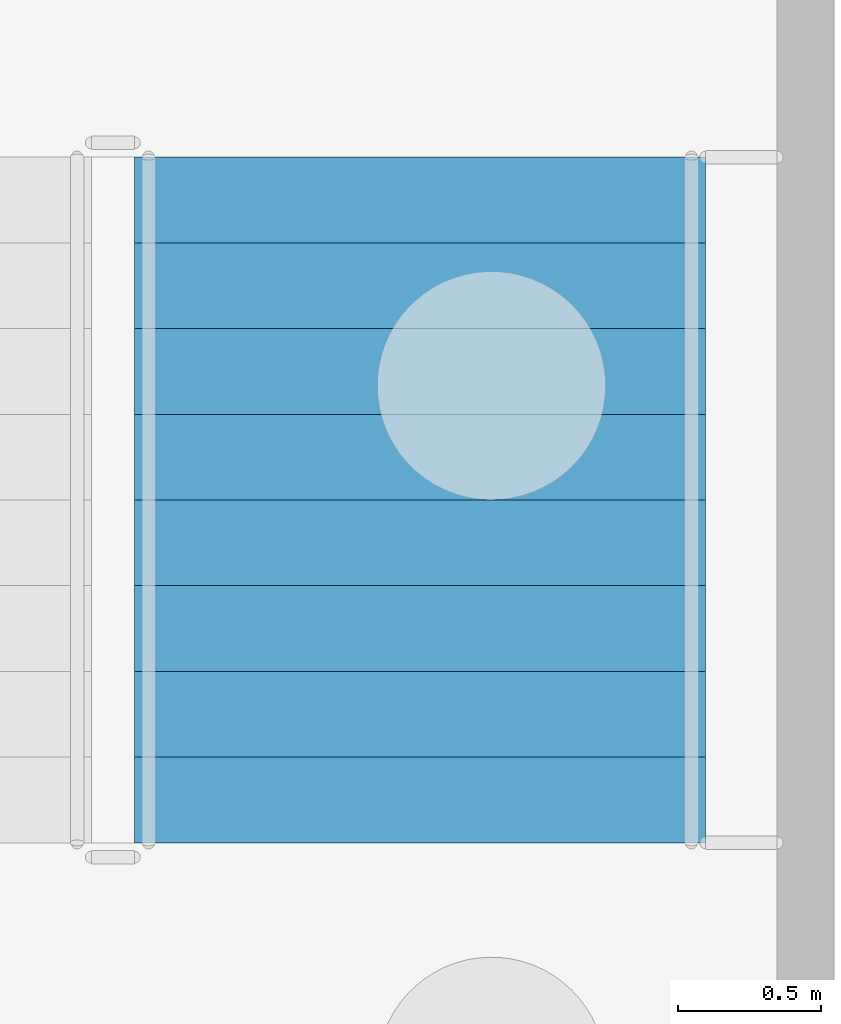
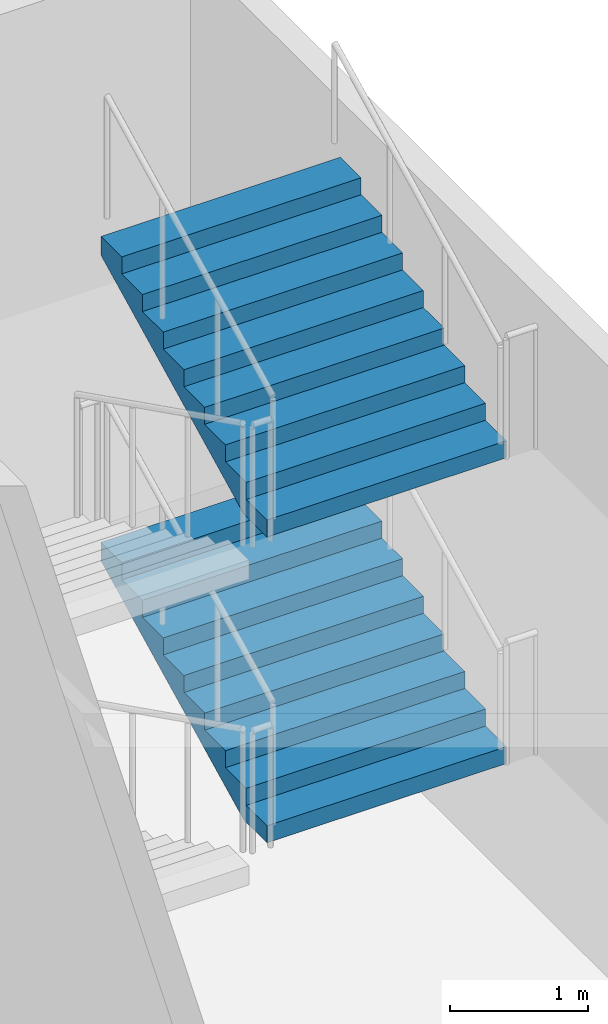
# One storey, part 101 of 129: 2 stair flights, 1 element without a shape of its own.
"""IFC4 building model written with IfcOpenShell, lengths in metres."""

from ifc_helpers import new_model, si_unit, direction, frame, origin, place, context, subcontext, project, spatial, faceted_brep, material, type_object, element, aggregate, save


model = new_model("IFC4")

# Units and contexts
model_context = context("Model", 3, precision=1e-05, world=origin(), true_north=direction((0.0, 1.0)))
body_context = subcontext(model_context, "Body", "Model", "MODEL_VIEW")
ifc_project = project(units=[si_unit("LENGTHUNIT", "METRE"), si_unit("AREAUNIT", "SQUARE_METRE"), si_unit("VOLUMEUNIT", "CUBIC_METRE"), si_unit("PLANEANGLEUNIT", "RADIAN"), si_unit("MASSUNIT", "GRAM", prefix="KILO")], contexts=[model_context])

# Site, building, storey
site_placement = place(None, origin())
site = spatial("IfcSite", under=ifc_project, at=site_placement, CompositionType="ELEMENT")
building_placement = place(site_placement, origin())
building = spatial("IfcBuilding", under=site, at=building_placement, Name="Kiln Court Media Centre", CompositionType="ELEMENT")
storey_placement = place(building_placement, origin())
storey = spatial("IfcBuildingStorey", under=building, at=storey_placement, Name="L00", CompositionType="ELEMENT", Elevation=0.0)

# Stair, stair flights
ifc_material_1 = material(Name="Concrete C40/50", Category="concrete")
stair_type = type_object("IfcStairType", Name="Concrete C40/50 dog-leg stair 2000 wide, 150 riser", PredefinedType="HALF_TURN_STAIR", material=ifc_material_1)
stair_placement = place(storey_placement, origin())
stair = element("IfcStair", 1, at=stair_placement, inside=storey, type_object=stair_type, Name="ST-15 L00", PredefinedType="HALF_TURN_STAIR")
ifc_material_2 = material(Name="Concrete C40/50", Category="concrete")
stair_flight_type = type_object("IfcStairFlightType", Name="Concrete C40/50 stair flight 2000 wide, 150 riser, 300 going", PredefinedType="STRAIGHT", material=ifc_material_2)
stair_flight_1_placement = place(storey_placement, frame((166.550048828125, 62.0, 1.35009765625), z_axis=(0.0, 0.0, 1.0), x_axis=(0.0, 1.0, 0.0)))
stair_flight_1 = element("IfcStairFlight", 2, at=stair_flight_1_placement, type_object=stair_flight_type, Name="L00-ST-5014 flight 5057", NumberOfRisers=9, NumberOfTreads=8, PredefinedType="STRAIGHT", RiserHeight=0.15, TreadLength=0.3, context=body_context, shape_type="Brep", body=[
    faceted_brep([(0.335205078125, -1.0, 0.0), (2.39990234375, -1.0, 1.032470703125), (2.39990234375, -1.0, 1.199951171875), (2.10009765625, -1.0, 1.199951171875), (2.10009765625, -1.0, 1.050048828125), (1.800048828125, -1.0, 1.050048828125), (1.800048828125, -1.0, 0.89990234375), (1.5, -1.0, 0.89990234375), (1.5, -1.0, 0.75), (1.199951171875, -1.0, 0.75), (1.199951171875, -1.0, 0.60009765625), (0.89990234375, -1.0, 0.60009765625), (0.89990234375, -1.0, 0.449951171875), (0.60009765625, -1.0, 0.449951171875), (0.60009765625, -1.0, 0.300048828125), (0.300048828125, -1.0, 0.300048828125), (0.300048828125, -1.0, 0.14990234375), (0.0, -1.0, 0.14990234375), (0.0, -1.0, 0.0), (0.0, 1.0, 0.0), (0.0, 1.0, 0.14990234375), (0.300048828125, 1.0, 0.14990234375), (0.300048828125, 1.0, 0.300048828125), (0.60009765625, 1.0, 0.300048828125), (0.60009765625, 1.0, 0.449951171875), (0.89990234375, 1.0, 0.449951171875), (0.89990234375, 1.0, 0.60009765625), (1.199951171875, 1.0, 0.60009765625), (1.199951171875, 1.0, 0.75), (1.5, 1.0, 0.75), (1.5, 1.0, 0.89990234375), (1.800048828125, 1.0, 0.89990234375), (1.800048828125, 1.0, 1.050048828125), (2.10009765625, 1.0, 1.050048828125), (2.10009765625, 1.0, 1.199951171875), (2.39990234375, 1.0, 1.199951171875), (2.39990234375, 1.0, 1.032470703125), (0.335205078125, 1.0, 0.0), (2.39990234375, 0.10009765625, 1.032470703125), (0.335205078125, 0.10009765625, 0.0), (2.39990234375, 0.080078125, 1.032470703125), (0.335205078125, 0.080078125, 0.0), (2.39990234375, 0.06005859375, 1.032470703125), (0.335205078125, 0.06005859375, 0.0), (2.39990234375, 0.0400390625, 1.032470703125), (0.335205078125, 0.0400390625, 0.0), (2.39990234375, 0.02001953125, 1.032470703125), (0.335205078125, 0.02001953125, 0.0), (2.39990234375, 0.0, 1.032470703125), (0.335205078125, 0.0, 0.0), (2.39990234375, -0.02001953125, 1.032470703125), (0.335205078125, -0.02001953125, 0.0), (2.39990234375, -0.0400390625, 1.032470703125), (0.335205078125, -0.0400390625, 0.0), (2.39990234375, -0.06005859375, 1.032470703125), (0.335205078125, -0.06005859375, 0.0), (2.39990234375, -0.080078125, 1.032470703125), (0.335205078125, -0.080078125, 0.0), (2.39990234375, -0.10009765625, 1.032470703125), (0.335205078125, -0.10009765625, 0.0), (2.39990234375, 0.10009765625, 1.199951171875), (2.39990234375, 0.080078125, 1.199951171875), (2.39990234375, 0.06005859375, 1.199951171875), (2.39990234375, 0.0400390625, 1.199951171875), (2.39990234375, 0.02001953125, 1.199951171875), (2.39990234375, 0.0, 1.199951171875), (2.39990234375, -0.02001953125, 1.199951171875), (2.39990234375, -0.0400390625, 1.199951171875), (2.39990234375, -0.06005859375, 1.199951171875), (2.39990234375, -0.080078125, 1.199951171875), (2.39990234375, -0.10009765625, 1.199951171875), (2.10009765625, 0.10009765625, 1.199951171875), (2.10009765625, 0.080078125, 1.199951171875), (2.10009765625, 0.06005859375, 1.199951171875), (2.10009765625, 0.0400390625, 1.199951171875), (2.10009765625, 0.02001953125, 1.199951171875), (2.10009765625, 0.0, 1.199951171875), (2.10009765625, -0.02001953125, 1.199951171875), (2.10009765625, -0.0400390625, 1.199951171875), (2.10009765625, -0.06005859375, 1.199951171875), (2.10009765625, -0.080078125, 1.199951171875), (2.10009765625, -0.10009765625, 1.199951171875), (2.10009765625, 0.10009765625, 1.050048828125), (2.10009765625, 0.080078125, 1.050048828125), (2.10009765625, 0.06005859375, 1.050048828125), (2.10009765625, 0.0400390625, 1.050048828125), (2.10009765625, 0.02001953125, 1.050048828125), (2.10009765625, 0.0, 1.050048828125), (2.10009765625, -0.02001953125, 1.050048828125), (2.10009765625, -0.0400390625, 1.050048828125), (2.10009765625, -0.06005859375, 1.050048828125), (2.10009765625, -0.080078125, 1.050048828125), (2.10009765625, -0.10009765625, 1.050048828125), (1.800048828125, 0.10009765625, 1.050048828125), (1.800048828125, 0.080078125, 1.050048828125), (1.800048828125, 0.06005859375, 1.050048828125), (1.800048828125, 0.0400390625, 1.050048828125), (1.800048828125, 0.02001953125, 1.050048828125), (1.800048828125, 0.0, 1.050048828125), (1.800048828125, -0.02001953125, 1.050048828125), (1.800048828125, -0.0400390625, 1.050048828125), (1.800048828125, -0.06005859375, 1.050048828125), (1.800048828125, -0.080078125, 1.050048828125), (1.800048828125, -0.10009765625, 1.050048828125), (1.800048828125, 0.10009765625, 0.89990234375), (1.800048828125, 0.080078125, 0.89990234375), (1.800048828125, 0.06005859375, 0.89990234375), (1.800048828125, 0.0400390625, 0.89990234375), (1.800048828125, 0.02001953125, 0.89990234375), (1.800048828125, 0.0, 0.89990234375), (1.800048828125, -0.02001953125, 0.89990234375), (1.800048828125, -0.0400390625, 0.89990234375), (1.800048828125, -0.06005859375, 0.89990234375), (1.800048828125, -0.080078125, 0.89990234375), (1.800048828125, -0.10009765625, 0.89990234375), (1.5, 0.10009765625, 0.89990234375), (1.5, 0.080078125, 0.89990234375), (1.5, 0.06005859375, 0.89990234375), (1.5, 0.0400390625, 0.89990234375), (1.5, 0.02001953125, 0.89990234375), (1.5, 0.0, 0.89990234375), (1.5, -0.02001953125, 0.89990234375), (1.5, -0.0400390625, 0.89990234375), (1.5, -0.06005859375, 0.89990234375), (1.5, -0.080078125, 0.89990234375), (1.5, -0.10009765625, 0.89990234375), (1.5, 0.10009765625, 0.75), (1.5, 0.080078125, 0.75), (1.5, 0.06005859375, 0.75), (1.5, 0.0400390625, 0.75), (1.5, 0.02001953125, 0.75), (1.5, 0.0, 0.75), (1.5, -0.02001953125, 0.75), (1.5, -0.0400390625, 0.75), (1.5, -0.06005859375, 0.75), (1.5, -0.080078125, 0.75), (1.5, -0.10009765625, 0.75), (1.199951171875, 0.10009765625, 0.75), (1.199951171875, 0.080078125, 0.75), (1.199951171875, 0.06005859375, 0.75), (1.199951171875, 0.0400390625, 0.75), (1.199951171875, 0.02001953125, 0.75), (1.199951171875, 0.0, 0.75), (1.199951171875, -0.02001953125, 0.75), (1.199951171875, -0.0400390625, 0.75), (1.199951171875, -0.06005859375, 0.75), (1.199951171875, -0.080078125, 0.75), (1.199951171875, -0.10009765625, 0.75), (1.199951171875, 0.10009765625, 0.60009765625), (1.199951171875, 0.080078125, 0.60009765625), (1.199951171875, 0.06005859375, 0.60009765625), (1.199951171875, 0.0400390625, 0.60009765625), (1.199951171875, 0.02001953125, 0.60009765625), (1.199951171875, 0.0, 0.60009765625), (1.199951171875, -0.02001953125, 0.60009765625), (1.199951171875, -0.0400390625, 0.60009765625), (1.199951171875, -0.06005859375, 0.60009765625), (1.199951171875, -0.080078125, 0.60009765625), (1.199951171875, -0.10009765625, 0.60009765625), (0.89990234375, 0.10009765625, 0.60009765625), (0.89990234375, 0.080078125, 0.60009765625), (0.89990234375, 0.06005859375, 0.60009765625), (0.89990234375, 0.0400390625, 0.60009765625), (0.89990234375, 0.02001953125, 0.60009765625), (0.89990234375, 0.0, 0.60009765625), (0.89990234375, -0.02001953125, 0.60009765625), (0.89990234375, -0.0400390625, 0.60009765625), (0.89990234375, -0.06005859375, 0.60009765625), (0.89990234375, -0.080078125, 0.60009765625), (0.89990234375, -0.10009765625, 0.60009765625), (0.89990234375, 0.10009765625, 0.449951171875), (0.89990234375, 0.080078125, 0.449951171875), (0.89990234375, 0.06005859375, 0.449951171875), (0.89990234375, 0.0400390625, 0.449951171875), (0.89990234375, 0.02001953125, 0.449951171875), (0.89990234375, 0.0, 0.449951171875), (0.89990234375, -0.02001953125, 0.449951171875), (0.89990234375, -0.0400390625, 0.449951171875), (0.89990234375, -0.06005859375, 0.449951171875), (0.89990234375, -0.080078125, 0.449951171875), (0.89990234375, -0.10009765625, 0.449951171875), (0.60009765625, 0.10009765625, 0.449951171875), (0.60009765625, 0.080078125, 0.449951171875), (0.60009765625, 0.06005859375, 0.449951171875), (0.60009765625, 0.0400390625, 0.449951171875), (0.60009765625, 0.02001953125, 0.449951171875), (0.60009765625, 0.0, 0.449951171875), (0.60009765625, -0.02001953125, 0.449951171875), (0.60009765625, -0.0400390625, 0.449951171875), (0.60009765625, -0.06005859375, 0.449951171875), (0.60009765625, -0.080078125, 0.449951171875), (0.60009765625, -0.10009765625, 0.449951171875), (0.60009765625, 0.10009765625, 0.300048828125), (0.60009765625, 0.080078125, 0.300048828125), (0.60009765625, 0.06005859375, 0.300048828125), (0.60009765625, 0.0400390625, 0.300048828125), (0.60009765625, 0.02001953125, 0.300048828125), (0.60009765625, 0.0, 0.300048828125), (0.60009765625, -0.02001953125, 0.300048828125), (0.60009765625, -0.0400390625, 0.300048828125), (0.60009765625, -0.06005859375, 0.300048828125), (0.60009765625, -0.080078125, 0.300048828125), (0.60009765625, -0.10009765625, 0.300048828125), (0.300048828125, 0.10009765625, 0.300048828125), (0.300048828125, 0.080078125, 0.300048828125), (0.300048828125, 0.06005859375, 0.300048828125), (0.300048828125, 0.0400390625, 0.300048828125), (0.300048828125, 0.02001953125, 0.300048828125), (0.300048828125, 0.0, 0.300048828125), (0.300048828125, -0.02001953125, 0.300048828125), (0.300048828125, -0.0400390625, 0.300048828125), (0.300048828125, -0.06005859375, 0.300048828125), (0.300048828125, -0.080078125, 0.300048828125), (0.300048828125, -0.10009765625, 0.300048828125), (0.300048828125, 0.10009765625, 0.14990234375), (0.300048828125, 0.080078125, 0.14990234375), (0.300048828125, 0.06005859375, 0.14990234375), (0.300048828125, 0.0400390625, 0.14990234375), (0.300048828125, 0.02001953125, 0.14990234375), (0.300048828125, 0.0, 0.14990234375), (0.300048828125, -0.02001953125, 0.14990234375), (0.300048828125, -0.0400390625, 0.14990234375), (0.300048828125, -0.06005859375, 0.14990234375), (0.300048828125, -0.080078125, 0.14990234375), (0.300048828125, -0.10009765625, 0.14990234375), (0.0, 0.10009765625, 0.14990234375), (0.0, 0.080078125, 0.14990234375), (0.0, 0.06005859375, 0.14990234375), (0.0, 0.0400390625, 0.14990234375), (0.0, 0.02001953125, 0.14990234375), (0.0, 0.0, 0.14990234375), (0.0, -0.02001953125, 0.14990234375), (0.0, -0.0400390625, 0.14990234375), (0.0, -0.06005859375, 0.14990234375), (0.0, -0.080078125, 0.14990234375), (0.0, -0.10009765625, 0.14990234375), (0.0, 0.10009765625, 0.0), (0.0, 0.080078125, 0.0), (0.0, 0.06005859375, 0.0), (0.0, 0.0400390625, 0.0), (0.0, 0.02001953125, 0.0), (0.0, 0.0, 0.0), (0.0, -0.02001953125, 0.0), (0.0, -0.0400390625, 0.0), (0.0, -0.06005859375, 0.0), (0.0, -0.080078125, 0.0), (0.0, -0.10009765625, 0.0)], [[[0, 1, 2, 3, 4, 5, 6, 7, 8, 9, 10, 11, 12, 13, 14, 15, 16, 17, 18]], [[19, 20, 21, 22, 23, 24, 25, 26, 27, 28, 29, 30, 31, 32, 33, 34, 35, 36, 37]], [[37, 36, 38, 39]], [[39, 38, 40, 41]], [[41, 40, 42, 43]], [[43, 42, 44, 45]], [[45, 44, 46, 47]], [[47, 46, 48, 49]], [[49, 48, 50, 51]], [[51, 50, 52, 53]], [[53, 52, 54, 55]], [[55, 54, 56, 57]], [[57, 56, 58, 59]], [[59, 58, 1, 0]], [[36, 35, 60, 38]], [[38, 60, 61, 40]], [[40, 61, 62, 42]], [[42, 62, 63, 44]], [[44, 63, 64, 46]], [[46, 64, 65, 48]], [[48, 65, 66, 50]], [[50, 66, 67, 52]], [[52, 67, 68, 54]], [[54, 68, 69, 56]], [[56, 69, 70, 58]], [[58, 70, 2, 1]], [[35, 34, 71, 60]], [[60, 71, 72, 61]], [[61, 72, 73, 62]], [[62, 73, 74, 63]], [[63, 74, 75, 64]], [[64, 75, 76, 65]], [[65, 76, 77, 66]], [[66, 77, 78, 67]], [[67, 78, 79, 68]], [[68, 79, 80, 69]], [[69, 80, 81, 70]], [[70, 81, 3, 2]], [[34, 33, 82, 71]], [[71, 82, 83, 72]], [[72, 83, 84, 73]], [[73, 84, 85, 74]], [[74, 85, 86, 75]], [[75, 86, 87, 76]], [[76, 87, 88, 77]], [[77, 88, 89, 78]], [[78, 89, 90, 79]], [[79, 90, 91, 80]], [[80, 91, 92, 81]], [[81, 92, 4, 3]], [[33, 32, 93, 82]], [[82, 93, 94, 83]], [[83, 94, 95, 84]], [[84, 95, 96, 85]], [[85, 96, 97, 86]], [[86, 97, 98, 87]], [[87, 98, 99, 88]], [[88, 99, 100, 89]], [[89, 100, 101, 90]], [[90, 101, 102, 91]], [[91, 102, 103, 92]], [[92, 103, 5, 4]], [[32, 31, 104, 93]], [[93, 104, 105, 94]], [[94, 105, 106, 95]], [[95, 106, 107, 96]], [[96, 107, 108, 97]], [[97, 108, 109, 98]], [[98, 109, 110, 99]], [[99, 110, 111, 100]], [[100, 111, 112, 101]], [[101, 112, 113, 102]], [[102, 113, 114, 103]], [[103, 114, 6, 5]], [[31, 30, 115, 104]], [[104, 115, 116, 105]], [[105, 116, 117, 106]], [[106, 117, 118, 107]], [[107, 118, 119, 108]], [[108, 119, 120, 109]], [[109, 120, 121, 110]], [[110, 121, 122, 111]], [[111, 122, 123, 112]], [[112, 123, 124, 113]], [[113, 124, 125, 114]], [[114, 125, 7, 6]], [[30, 29, 126, 115]], [[115, 126, 127, 116]], [[116, 127, 128, 117]], [[117, 128, 129, 118]], [[118, 129, 130, 119]], [[119, 130, 131, 120]], [[120, 131, 132, 121]], [[121, 132, 133, 122]], [[122, 133, 134, 123]], [[123, 134, 135, 124]], [[124, 135, 136, 125]], [[125, 136, 8, 7]], [[29, 28, 137, 126]], [[126, 137, 138, 127]], [[127, 138, 139, 128]], [[128, 139, 140, 129]], [[129, 140, 141, 130]], [[130, 141, 142, 131]], [[131, 142, 143, 132]], [[132, 143, 144, 133]], [[133, 144, 145, 134]], [[134, 145, 146, 135]], [[135, 146, 147, 136]], [[136, 147, 9, 8]], [[28, 27, 148, 137]], [[137, 148, 149, 138]], [[138, 149, 150, 139]], [[139, 150, 151, 140]], [[140, 151, 152, 141]], [[141, 152, 153, 142]], [[142, 153, 154, 143]], [[143, 154, 155, 144]], [[144, 155, 156, 145]], [[145, 156, 157, 146]], [[146, 157, 158, 147]], [[147, 158, 10, 9]], [[27, 26, 159, 148]], [[148, 159, 160, 149]], [[149, 160, 161, 150]], [[150, 161, 162, 151]], [[151, 162, 163, 152]], [[152, 163, 164, 153]], [[153, 164, 165, 154]], [[154, 165, 166, 155]], [[155, 166, 167, 156]], [[156, 167, 168, 157]], [[157, 168, 169, 158]], [[158, 169, 11, 10]], [[26, 25, 170, 159]], [[159, 170, 171, 160]], [[160, 171, 172, 161]], [[161, 172, 173, 162]], [[162, 173, 174, 163]], [[163, 174, 175, 164]], [[164, 175, 176, 165]], [[165, 176, 177, 166]], [[166, 177, 178, 167]], [[167, 178, 179, 168]], [[168, 179, 180, 169]], [[169, 180, 12, 11]], [[25, 24, 181, 170]], [[170, 181, 182, 171]], [[171, 182, 183, 172]], [[172, 183, 184, 173]], [[173, 184, 185, 174]], [[174, 185, 186, 175]], [[175, 186, 187, 176]], [[176, 187, 188, 177]], [[177, 188, 189, 178]], [[178, 189, 190, 179]], [[179, 190, 191, 180]], [[180, 191, 13, 12]], [[24, 23, 192, 181]], [[181, 192, 193, 182]], [[182, 193, 194, 183]], [[183, 194, 195, 184]], [[184, 195, 196, 185]], [[185, 196, 197, 186]], [[186, 197, 198, 187]], [[187, 198, 199, 188]], [[188, 199, 200, 189]], [[189, 200, 201, 190]], [[190, 201, 202, 191]], [[191, 202, 14, 13]], [[23, 22, 203, 192]], [[192, 203, 204, 193]], [[193, 204, 205, 194]], [[194, 205, 206, 195]], [[195, 206, 207, 196]], [[196, 207, 208, 197]], [[197, 208, 209, 198]], [[198, 209, 210, 199]], [[199, 210, 211, 200]], [[200, 211, 212, 201]], [[201, 212, 213, 202]], [[202, 213, 15, 14]], [[22, 21, 214, 203]], [[203, 214, 215, 204]], [[204, 215, 216, 205]], [[205, 216, 217, 206]], [[206, 217, 218, 207]], [[207, 218, 219, 208]], [[208, 219, 220, 209]], [[209, 220, 221, 210]], [[210, 221, 222, 211]], [[211, 222, 223, 212]], [[212, 223, 224, 213]], [[213, 224, 16, 15]], [[21, 20, 225, 214]], [[214, 225, 226, 215]], [[215, 226, 227, 216]], [[216, 227, 228, 217]], [[217, 228, 229, 218]], [[218, 229, 230, 219]], [[219, 230, 231, 220]], [[220, 231, 232, 221]], [[221, 232, 233, 222]], [[222, 233, 234, 223]], [[223, 234, 235, 224]], [[224, 235, 17, 16]], [[20, 19, 236, 225]], [[225, 236, 237, 226]], [[226, 237, 238, 227]], [[227, 238, 239, 228]], [[228, 239, 240, 229]], [[229, 240, 241, 230]], [[230, 241, 242, 231]], [[231, 242, 243, 232]], [[232, 243, 244, 233]], [[233, 244, 245, 234]], [[234, 245, 246, 235]], [[235, 246, 18, 17]], [[19, 37, 39, 236]], [[236, 39, 41, 237]], [[237, 41, 43, 238]], [[238, 43, 45, 239]], [[239, 45, 47, 240]], [[240, 47, 49, 241]], [[241, 49, 51, 242]], [[242, 51, 53, 243]], [[243, 53, 55, 244]], [[244, 55, 57, 245]], [[245, 57, 59, 246]], [[246, 59, 0, 18]]]),
])
stair_flight_2_placement = place(storey_placement, frame((166.550048828125, 62.0, 4.050048828125), z_axis=(0.0, 0.0, 1.0), x_axis=(0.0, 1.0, 0.0)))
stair_flight_2 = element("IfcStairFlight", 3, at=stair_flight_2_placement, type_object=stair_flight_type, Name="L00-ST-5014 flight 5059", NumberOfRisers=9, NumberOfTreads=8, PredefinedType="STRAIGHT", RiserHeight=0.15, TreadLength=0.3, context=body_context, shape_type="Brep", body=[
    faceted_brep([(0.335205078125, -1.0, 0.0), (2.39990234375, -1.0, 1.032470703125), (2.39990234375, -1.0, 1.199951171875), (2.10009765625, -1.0, 1.199951171875), (2.10009765625, -1.0, 1.050048828125), (1.800048828125, -1.0, 1.050048828125), (1.800048828125, -1.0, 0.89990234375), (1.5, -1.0, 0.89990234375), (1.5, -1.0, 0.75), (1.199951171875, -1.0, 0.75), (1.199951171875, -1.0, 0.60009765625), (0.89990234375, -1.0, 0.60009765625), (0.89990234375, -1.0, 0.449951171875), (0.60009765625, -1.0, 0.449951171875), (0.60009765625, -1.0, 0.300048828125), (0.300048828125, -1.0, 0.300048828125), (0.300048828125, -1.0, 0.14990234375), (0.0, -1.0, 0.14990234375), (0.0, -1.0, 0.0), (0.0, 1.0, 0.0), (0.0, 1.0, 0.14990234375), (0.300048828125, 1.0, 0.14990234375), (0.300048828125, 1.0, 0.300048828125), (0.60009765625, 1.0, 0.300048828125), (0.60009765625, 1.0, 0.449951171875), (0.89990234375, 1.0, 0.449951171875), (0.89990234375, 1.0, 0.60009765625), (1.199951171875, 1.0, 0.60009765625), (1.199951171875, 1.0, 0.75), (1.5, 1.0, 0.75), (1.5, 1.0, 0.89990234375), (1.800048828125, 1.0, 0.89990234375), (1.800048828125, 1.0, 1.050048828125), (2.10009765625, 1.0, 1.050048828125), (2.10009765625, 1.0, 1.199951171875), (2.39990234375, 1.0, 1.199951171875), (2.39990234375, 1.0, 1.032470703125), (0.335205078125, 1.0, 0.0), (2.39990234375, 0.10009765625, 1.032470703125), (0.335205078125, 0.10009765625, 0.0), (2.39990234375, 0.080078125, 1.032470703125), (0.335205078125, 0.080078125, 0.0), (2.39990234375, 0.06005859375, 1.032470703125), (0.335205078125, 0.06005859375, 0.0), (2.39990234375, 0.0400390625, 1.032470703125), (0.335205078125, 0.0400390625, 0.0), (2.39990234375, 0.02001953125, 1.032470703125), (0.335205078125, 0.02001953125, 0.0), (2.39990234375, 0.0, 1.032470703125), (0.335205078125, 0.0, 0.0), (2.39990234375, -0.02001953125, 1.032470703125), (0.335205078125, -0.02001953125, 0.0), (2.39990234375, -0.0400390625, 1.032470703125), (0.335205078125, -0.0400390625, 0.0), (2.39990234375, -0.06005859375, 1.032470703125), (0.335205078125, -0.06005859375, 0.0), (2.39990234375, -0.080078125, 1.032470703125), (0.335205078125, -0.080078125, 0.0), (2.39990234375, -0.10009765625, 1.032470703125), (0.335205078125, -0.10009765625, 0.0), (2.39990234375, 0.10009765625, 1.199951171875), (2.39990234375, 0.080078125, 1.199951171875), (2.39990234375, 0.06005859375, 1.199951171875), (2.39990234375, 0.0400390625, 1.199951171875), (2.39990234375, 0.02001953125, 1.199951171875), (2.39990234375, 0.0, 1.199951171875), (2.39990234375, -0.02001953125, 1.199951171875), (2.39990234375, -0.0400390625, 1.199951171875), (2.39990234375, -0.06005859375, 1.199951171875), (2.39990234375, -0.080078125, 1.199951171875), (2.39990234375, -0.10009765625, 1.199951171875), (2.10009765625, 0.10009765625, 1.199951171875), (2.10009765625, 0.080078125, 1.199951171875), (2.10009765625, 0.06005859375, 1.199951171875), (2.10009765625, 0.0400390625, 1.199951171875), (2.10009765625, 0.02001953125, 1.199951171875), (2.10009765625, 0.0, 1.199951171875), (2.10009765625, -0.02001953125, 1.199951171875), (2.10009765625, -0.0400390625, 1.199951171875), (2.10009765625, -0.06005859375, 1.199951171875), (2.10009765625, -0.080078125, 1.199951171875), (2.10009765625, -0.10009765625, 1.199951171875), (2.10009765625, 0.10009765625, 1.050048828125), (2.10009765625, 0.080078125, 1.050048828125), (2.10009765625, 0.06005859375, 1.050048828125), (2.10009765625, 0.0400390625, 1.050048828125), (2.10009765625, 0.02001953125, 1.050048828125), (2.10009765625, 0.0, 1.050048828125), (2.10009765625, -0.02001953125, 1.050048828125), (2.10009765625, -0.0400390625, 1.050048828125), (2.10009765625, -0.06005859375, 1.050048828125), (2.10009765625, -0.080078125, 1.050048828125), (2.10009765625, -0.10009765625, 1.050048828125), (1.800048828125, 0.10009765625, 1.050048828125), (1.800048828125, 0.080078125, 1.050048828125), (1.800048828125, 0.06005859375, 1.050048828125), (1.800048828125, 0.0400390625, 1.050048828125), (1.800048828125, 0.02001953125, 1.050048828125), (1.800048828125, 0.0, 1.050048828125), (1.800048828125, -0.02001953125, 1.050048828125), (1.800048828125, -0.0400390625, 1.050048828125), (1.800048828125, -0.06005859375, 1.050048828125), (1.800048828125, -0.080078125, 1.050048828125), (1.800048828125, -0.10009765625, 1.050048828125), (1.800048828125, 0.10009765625, 0.89990234375), (1.800048828125, 0.080078125, 0.89990234375), (1.800048828125, 0.06005859375, 0.89990234375), (1.800048828125, 0.0400390625, 0.89990234375), (1.800048828125, 0.02001953125, 0.89990234375), (1.800048828125, 0.0, 0.89990234375), (1.800048828125, -0.02001953125, 0.89990234375), (1.800048828125, -0.0400390625, 0.89990234375), (1.800048828125, -0.06005859375, 0.89990234375), (1.800048828125, -0.080078125, 0.89990234375), (1.800048828125, -0.10009765625, 0.89990234375), (1.5, 0.10009765625, 0.89990234375), (1.5, 0.080078125, 0.89990234375), (1.5, 0.06005859375, 0.89990234375), (1.5, 0.0400390625, 0.89990234375), (1.5, 0.02001953125, 0.89990234375), (1.5, 0.0, 0.89990234375), (1.5, -0.02001953125, 0.89990234375), (1.5, -0.0400390625, 0.89990234375), (1.5, -0.06005859375, 0.89990234375), (1.5, -0.080078125, 0.89990234375), (1.5, -0.10009765625, 0.89990234375), (1.5, 0.10009765625, 0.75), (1.5, 0.080078125, 0.75), (1.5, 0.06005859375, 0.75), (1.5, 0.0400390625, 0.75), (1.5, 0.02001953125, 0.75), (1.5, 0.0, 0.75), (1.5, -0.02001953125, 0.75), (1.5, -0.0400390625, 0.75), (1.5, -0.06005859375, 0.75), (1.5, -0.080078125, 0.75), (1.5, -0.10009765625, 0.75), (1.199951171875, 0.10009765625, 0.75), (1.199951171875, 0.080078125, 0.75), (1.199951171875, 0.06005859375, 0.75), (1.199951171875, 0.0400390625, 0.75), (1.199951171875, 0.02001953125, 0.75), (1.199951171875, 0.0, 0.75), (1.199951171875, -0.02001953125, 0.75), (1.199951171875, -0.0400390625, 0.75), (1.199951171875, -0.06005859375, 0.75), (1.199951171875, -0.080078125, 0.75), (1.199951171875, -0.10009765625, 0.75), (1.199951171875, 0.10009765625, 0.60009765625), (1.199951171875, 0.080078125, 0.60009765625), (1.199951171875, 0.06005859375, 0.60009765625), (1.199951171875, 0.0400390625, 0.60009765625), (1.199951171875, 0.02001953125, 0.60009765625), (1.199951171875, 0.0, 0.60009765625), (1.199951171875, -0.02001953125, 0.60009765625), (1.199951171875, -0.0400390625, 0.60009765625), (1.199951171875, -0.06005859375, 0.60009765625), (1.199951171875, -0.080078125, 0.60009765625), (1.199951171875, -0.10009765625, 0.60009765625), (0.89990234375, 0.10009765625, 0.60009765625), (0.89990234375, 0.080078125, 0.60009765625), (0.89990234375, 0.06005859375, 0.60009765625), (0.89990234375, 0.0400390625, 0.60009765625), (0.89990234375, 0.02001953125, 0.60009765625), (0.89990234375, 0.0, 0.60009765625), (0.89990234375, -0.02001953125, 0.60009765625), (0.89990234375, -0.0400390625, 0.60009765625), (0.89990234375, -0.06005859375, 0.60009765625), (0.89990234375, -0.080078125, 0.60009765625), (0.89990234375, -0.10009765625, 0.60009765625), (0.89990234375, 0.10009765625, 0.449951171875), (0.89990234375, 0.080078125, 0.449951171875), (0.89990234375, 0.06005859375, 0.449951171875), (0.89990234375, 0.0400390625, 0.449951171875), (0.89990234375, 0.02001953125, 0.449951171875), (0.89990234375, 0.0, 0.449951171875), (0.89990234375, -0.02001953125, 0.449951171875), (0.89990234375, -0.0400390625, 0.449951171875), (0.89990234375, -0.06005859375, 0.449951171875), (0.89990234375, -0.080078125, 0.449951171875), (0.89990234375, -0.10009765625, 0.449951171875), (0.60009765625, 0.10009765625, 0.449951171875), (0.60009765625, 0.080078125, 0.449951171875), (0.60009765625, 0.06005859375, 0.449951171875), (0.60009765625, 0.0400390625, 0.449951171875), (0.60009765625, 0.02001953125, 0.449951171875), (0.60009765625, 0.0, 0.449951171875), (0.60009765625, -0.02001953125, 0.449951171875), (0.60009765625, -0.0400390625, 0.449951171875), (0.60009765625, -0.06005859375, 0.449951171875), (0.60009765625, -0.080078125, 0.449951171875), (0.60009765625, -0.10009765625, 0.449951171875), (0.60009765625, 0.10009765625, 0.300048828125), (0.60009765625, 0.080078125, 0.300048828125), (0.60009765625, 0.06005859375, 0.300048828125), (0.60009765625, 0.0400390625, 0.300048828125), (0.60009765625, 0.02001953125, 0.300048828125), (0.60009765625, 0.0, 0.300048828125), (0.60009765625, -0.02001953125, 0.300048828125), (0.60009765625, -0.0400390625, 0.300048828125), (0.60009765625, -0.06005859375, 0.300048828125), (0.60009765625, -0.080078125, 0.300048828125), (0.60009765625, -0.10009765625, 0.300048828125), (0.300048828125, 0.10009765625, 0.300048828125), (0.300048828125, 0.080078125, 0.300048828125), (0.300048828125, 0.06005859375, 0.300048828125), (0.300048828125, 0.0400390625, 0.300048828125), (0.300048828125, 0.02001953125, 0.300048828125), (0.300048828125, 0.0, 0.300048828125), (0.300048828125, -0.02001953125, 0.300048828125), (0.300048828125, -0.0400390625, 0.300048828125), (0.300048828125, -0.06005859375, 0.300048828125), (0.300048828125, -0.080078125, 0.300048828125), (0.300048828125, -0.10009765625, 0.300048828125), (0.300048828125, 0.10009765625, 0.14990234375), (0.300048828125, 0.080078125, 0.14990234375), (0.300048828125, 0.06005859375, 0.14990234375), (0.300048828125, 0.0400390625, 0.14990234375), (0.300048828125, 0.02001953125, 0.14990234375), (0.300048828125, 0.0, 0.14990234375), (0.300048828125, -0.02001953125, 0.14990234375), (0.300048828125, -0.0400390625, 0.14990234375), (0.300048828125, -0.06005859375, 0.14990234375), (0.300048828125, -0.080078125, 0.14990234375), (0.300048828125, -0.10009765625, 0.14990234375), (0.0, 0.10009765625, 0.14990234375), (0.0, 0.080078125, 0.14990234375), (0.0, 0.06005859375, 0.14990234375), (0.0, 0.0400390625, 0.14990234375), (0.0, 0.02001953125, 0.14990234375), (0.0, 0.0, 0.14990234375), (0.0, -0.02001953125, 0.14990234375), (0.0, -0.0400390625, 0.14990234375), (0.0, -0.06005859375, 0.14990234375), (0.0, -0.080078125, 0.14990234375), (0.0, -0.10009765625, 0.14990234375), (0.0, 0.10009765625, 0.0), (0.0, 0.080078125, 0.0), (0.0, 0.06005859375, 0.0), (0.0, 0.0400390625, 0.0), (0.0, 0.02001953125, 0.0), (0.0, 0.0, 0.0), (0.0, -0.02001953125, 0.0), (0.0, -0.0400390625, 0.0), (0.0, -0.06005859375, 0.0), (0.0, -0.080078125, 0.0), (0.0, -0.10009765625, 0.0)], [[[0, 1, 2, 3, 4, 5, 6, 7, 8, 9, 10, 11, 12, 13, 14, 15, 16, 17, 18]], [[19, 20, 21, 22, 23, 24, 25, 26, 27, 28, 29, 30, 31, 32, 33, 34, 35, 36, 37]], [[37, 36, 38, 39]], [[39, 38, 40, 41]], [[41, 40, 42, 43]], [[43, 42, 44, 45]], [[45, 44, 46, 47]], [[47, 46, 48, 49]], [[49, 48, 50, 51]], [[51, 50, 52, 53]], [[53, 52, 54, 55]], [[55, 54, 56, 57]], [[57, 56, 58, 59]], [[59, 58, 1, 0]], [[36, 35, 60, 38]], [[38, 60, 61, 40]], [[40, 61, 62, 42]], [[42, 62, 63, 44]], [[44, 63, 64, 46]], [[46, 64, 65, 48]], [[48, 65, 66, 50]], [[50, 66, 67, 52]], [[52, 67, 68, 54]], [[54, 68, 69, 56]], [[56, 69, 70, 58]], [[58, 70, 2, 1]], [[35, 34, 71, 60]], [[60, 71, 72, 61]], [[61, 72, 73, 62]], [[62, 73, 74, 63]], [[63, 74, 75, 64]], [[64, 75, 76, 65]], [[65, 76, 77, 66]], [[66, 77, 78, 67]], [[67, 78, 79, 68]], [[68, 79, 80, 69]], [[69, 80, 81, 70]], [[70, 81, 3, 2]], [[34, 33, 82, 71]], [[71, 82, 83, 72]], [[72, 83, 84, 73]], [[73, 84, 85, 74]], [[74, 85, 86, 75]], [[75, 86, 87, 76]], [[76, 87, 88, 77]], [[77, 88, 89, 78]], [[78, 89, 90, 79]], [[79, 90, 91, 80]], [[80, 91, 92, 81]], [[81, 92, 4, 3]], [[33, 32, 93, 82]], [[82, 93, 94, 83]], [[83, 94, 95, 84]], [[84, 95, 96, 85]], [[85, 96, 97, 86]], [[86, 97, 98, 87]], [[87, 98, 99, 88]], [[88, 99, 100, 89]], [[89, 100, 101, 90]], [[90, 101, 102, 91]], [[91, 102, 103, 92]], [[92, 103, 5, 4]], [[32, 31, 104, 93]], [[93, 104, 105, 94]], [[94, 105, 106, 95]], [[95, 106, 107, 96]], [[96, 107, 108, 97]], [[97, 108, 109, 98]], [[98, 109, 110, 99]], [[99, 110, 111, 100]], [[100, 111, 112, 101]], [[101, 112, 113, 102]], [[102, 113, 114, 103]], [[103, 114, 6, 5]], [[31, 30, 115, 104]], [[104, 115, 116, 105]], [[105, 116, 117, 106]], [[106, 117, 118, 107]], [[107, 118, 119, 108]], [[108, 119, 120, 109]], [[109, 120, 121, 110]], [[110, 121, 122, 111]], [[111, 122, 123, 112]], [[112, 123, 124, 113]], [[113, 124, 125, 114]], [[114, 125, 7, 6]], [[30, 29, 126, 115]], [[115, 126, 127, 116]], [[116, 127, 128, 117]], [[117, 128, 129, 118]], [[118, 129, 130, 119]], [[119, 130, 131, 120]], [[120, 131, 132, 121]], [[121, 132, 133, 122]], [[122, 133, 134, 123]], [[123, 134, 135, 124]], [[124, 135, 136, 125]], [[125, 136, 8, 7]], [[29, 28, 137, 126]], [[126, 137, 138, 127]], [[127, 138, 139, 128]], [[128, 139, 140, 129]], [[129, 140, 141, 130]], [[130, 141, 142, 131]], [[131, 142, 143, 132]], [[132, 143, 144, 133]], [[133, 144, 145, 134]], [[134, 145, 146, 135]], [[135, 146, 147, 136]], [[136, 147, 9, 8]], [[28, 27, 148, 137]], [[137, 148, 149, 138]], [[138, 149, 150, 139]], [[139, 150, 151, 140]], [[140, 151, 152, 141]], [[141, 152, 153, 142]], [[142, 153, 154, 143]], [[143, 154, 155, 144]], [[144, 155, 156, 145]], [[145, 156, 157, 146]], [[146, 157, 158, 147]], [[147, 158, 10, 9]], [[27, 26, 159, 148]], [[148, 159, 160, 149]], [[149, 160, 161, 150]], [[150, 161, 162, 151]], [[151, 162, 163, 152]], [[152, 163, 164, 153]], [[153, 164, 165, 154]], [[154, 165, 166, 155]], [[155, 166, 167, 156]], [[156, 167, 168, 157]], [[157, 168, 169, 158]], [[158, 169, 11, 10]], [[26, 25, 170, 159]], [[159, 170, 171, 160]], [[160, 171, 172, 161]], [[161, 172, 173, 162]], [[162, 173, 174, 163]], [[163, 174, 175, 164]], [[164, 175, 176, 165]], [[165, 176, 177, 166]], [[166, 177, 178, 167]], [[167, 178, 179, 168]], [[168, 179, 180, 169]], [[169, 180, 12, 11]], [[25, 24, 181, 170]], [[170, 181, 182, 171]], [[171, 182, 183, 172]], [[172, 183, 184, 173]], [[173, 184, 185, 174]], [[174, 185, 186, 175]], [[175, 186, 187, 176]], [[176, 187, 188, 177]], [[177, 188, 189, 178]], [[178, 189, 190, 179]], [[179, 190, 191, 180]], [[180, 191, 13, 12]], [[24, 23, 192, 181]], [[181, 192, 193, 182]], [[182, 193, 194, 183]], [[183, 194, 195, 184]], [[184, 195, 196, 185]], [[185, 196, 197, 186]], [[186, 197, 198, 187]], [[187, 198, 199, 188]], [[188, 199, 200, 189]], [[189, 200, 201, 190]], [[190, 201, 202, 191]], [[191, 202, 14, 13]], [[23, 22, 203, 192]], [[192, 203, 204, 193]], [[193, 204, 205, 194]], [[194, 205, 206, 195]], [[195, 206, 207, 196]], [[196, 207, 208, 197]], [[197, 208, 209, 198]], [[198, 209, 210, 199]], [[199, 210, 211, 200]], [[200, 211, 212, 201]], [[201, 212, 213, 202]], [[202, 213, 15, 14]], [[22, 21, 214, 203]], [[203, 214, 215, 204]], [[204, 215, 216, 205]], [[205, 216, 217, 206]], [[206, 217, 218, 207]], [[207, 218, 219, 208]], [[208, 219, 220, 209]], [[209, 220, 221, 210]], [[210, 221, 222, 211]], [[211, 222, 223, 212]], [[212, 223, 224, 213]], [[213, 224, 16, 15]], [[21, 20, 225, 214]], [[214, 225, 226, 215]], [[215, 226, 227, 216]], [[216, 227, 228, 217]], [[217, 228, 229, 218]], [[218, 229, 230, 219]], [[219, 230, 231, 220]], [[220, 231, 232, 221]], [[221, 232, 233, 222]], [[222, 233, 234, 223]], [[223, 234, 235, 224]], [[224, 235, 17, 16]], [[20, 19, 236, 225]], [[225, 236, 237, 226]], [[226, 237, 238, 227]], [[227, 238, 239, 228]], [[228, 239, 240, 229]], [[229, 240, 241, 230]], [[230, 241, 242, 231]], [[231, 242, 243, 232]], [[232, 243, 244, 233]], [[233, 244, 245, 234]], [[234, 245, 246, 235]], [[235, 246, 18, 17]], [[19, 37, 39, 236]], [[236, 39, 41, 237]], [[237, 41, 43, 238]], [[238, 43, 45, 239]], [[239, 45, 47, 240]], [[240, 47, 49, 241]], [[241, 49, 51, 242]], [[242, 51, 53, 243]], [[243, 53, 55, 244]], [[244, 55, 57, 245]], [[245, 57, 59, 246]], [[246, 59, 0, 18]]]),
])
aggregate(stair, [stair_flight_1, stair_flight_2])

save(model, "model.ifc")
